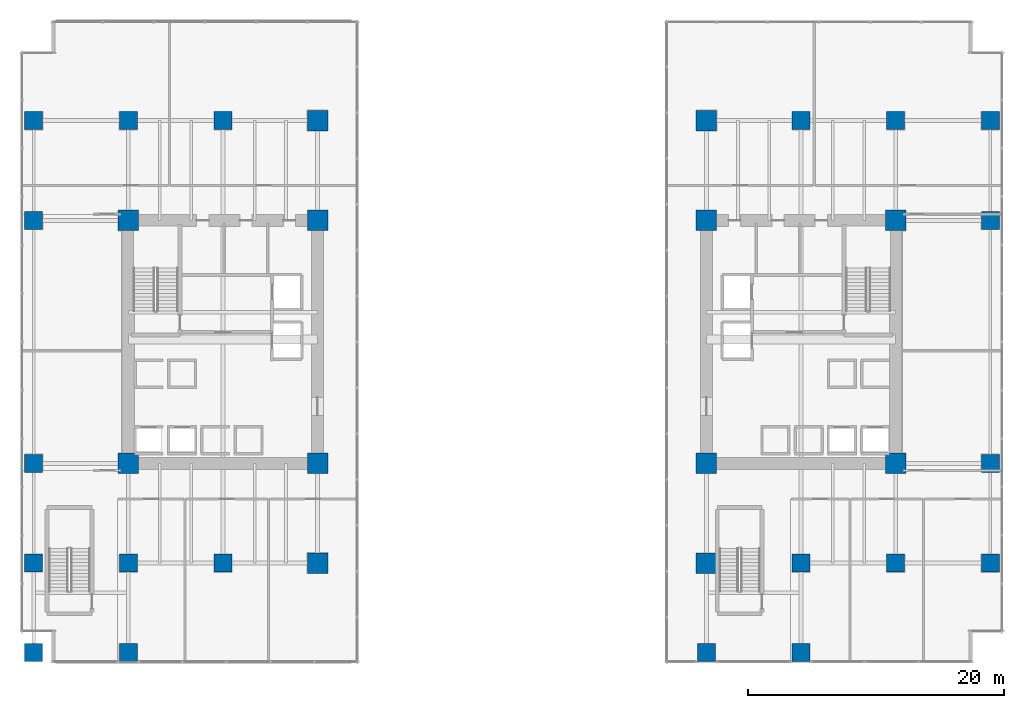
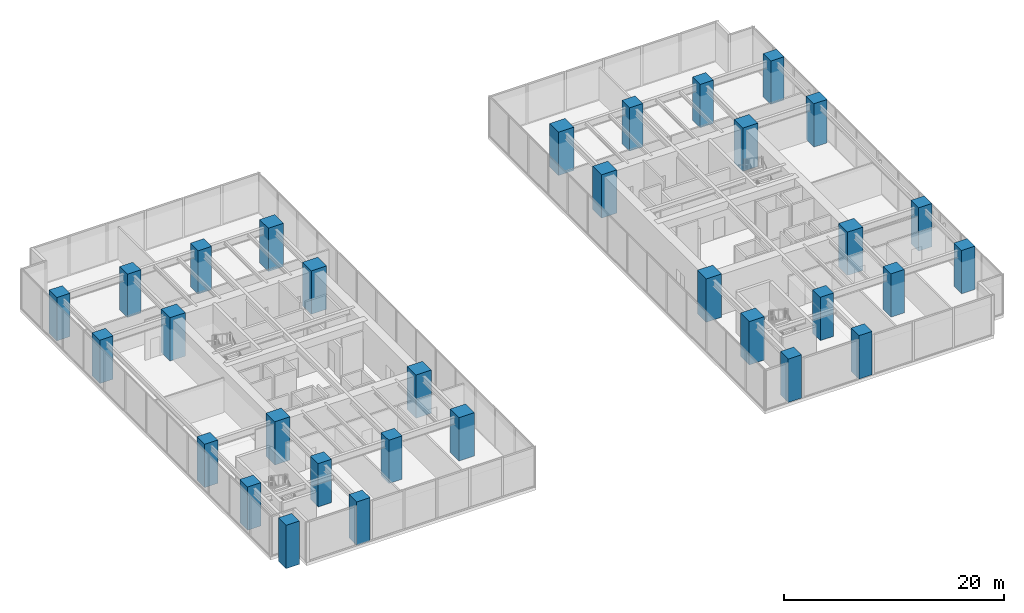
# One storey, part 1 of 33: 32 columns.
"""IFC4 building model written with IfcOpenShell, lengths in metres."""

from ifc_helpers import new_model, si_unit, direction, frame, origin, origin_2d, place, context, subcontext, project, spatial, rectangle, extrude, source, transform, mapped, material, material_profile, profile_set, type_object, type_shapes, element, save


model = new_model("IFC4")

# Units and contexts
model_context = context("Model", 3, precision=1e-05, world=origin(), true_north=direction((0.0, 1.0)))
body_context = subcontext(model_context, "Body", "Model", "MODEL_VIEW")
ifc_project = project(units=[si_unit("LENGTHUNIT", "METRE"), si_unit("AREAUNIT", "SQUARE_METRE"), si_unit("VOLUMEUNIT", "CUBIC_METRE"), si_unit("PLANEANGLEUNIT", "RADIAN"), si_unit("MASSUNIT", "GRAM", prefix="KILO")], contexts=[model_context])

# Site, building, storey
site_placement = place(None, origin())
site = spatial("IfcSite", under=ifc_project, at=site_placement, CompositionType="ELEMENT")
building_placement = place(site_placement, origin())
building = spatial("IfcBuilding", under=site, at=building_placement, Name="Haelvirn Gate Laboratories", CompositionType="ELEMENT")
storey_placement = place(building_placement, frame((0.0, 0.0, 10.199951171875)))
storey = spatial("IfcBuildingStorey", under=building, at=storey_placement, Name="L03", CompositionType="ELEMENT", Elevation=10.199951171875)

# Columns
ifc_material = material(Name="Concrete C70/85", Category="concrete")
ifc_material_profile_1 = material_profile(ifc_material, rectangle(XDim=1.39990234375, YDim=1.39990234375, at=origin_2d()), Name="SRC-1400x1400")
ifc_profile_set_1 = profile_set([ifc_material_profile_1], Name="Concrete C70/85")
column_type_1 = type_object("IfcColumnType", Name="COL-SRC-1400", PredefinedType="COLUMN", material=ifc_profile_set_1)
shared_shape_1 = source(origin(), body_context, "Body", "SweptSolid", [
    extrude(rectangle(XDim=1.39990234375, YDim=1.39990234375, at=origin_2d()), origin(), (0.0, 0.0, 1.0), 4.800048828125),
])
type_shapes(column_type_1, [shared_shape_1])
for number, where, z_axis, x_axis, name in (
    (1, (14.800048828125, 7.0, 0.0), (0.0, 0.0, 1.0), (1.0, 0.0, 0.0), "L03 Column 3B"),
    (2, (14.800048828125, 41.60009765625, 0.0), (0.0, 0.0, 1.0), (1.0, 0.0, 0.0), "L03 Column 3G"),
    (3, (60.0, 7.0, 0.0), (0.0, 0.0, 1.0), (1.0, 0.0, 0.0), "L03 Column 9B"),
    (4, (60.0, 41.60009765625, 0.0), (0.0, 0.0, 1.0), (1.0, 0.0, 0.0), "L03 Column 9G"),
    (5, (7.39990234375, 7.0, 0.0), (0.0, 0.0, 1.0), (1.0, 0.0, 0.0), "L03 Column 2B"),
    (6, (7.39990234375, 41.60009765625, 0.0), (0.0, 0.0, 1.0), (1.0, 0.0, 0.0), "L03 Column 2G"),
    (7, (67.39990234375, 7.0, 0.0), (0.0, 0.0, 1.0), (1.0, 0.0, 0.0), "L03 Column 10B"),
    (8, (67.39990234375, 41.60009765625, 0.0), (0.0, 0.0, 1.0), (1.0, 0.0, 0.0), "L03 Column 10G"),
    (9, (0.0, 7.0, 0.0), (0.0, 0.0, 1.0), (1.0, 0.0, 0.0), "L03 Column 1B"),
    (10, (0.0, 14.800048828125, 0.0), (0.0, 0.0, 1.0), (1.0, 0.0, 0.0), "L03 Column 1C"),
    (11, (0.0, 33.800048828125, 0.0), (0.0, 0.0, 1.0), (1.0, 0.0, 0.0), "L03 Column 1F"),
    (12, (0.0, 41.60009765625, 0.0), (0.0, 0.0, 1.0), (1.0, 0.0, 0.0), "L03 Column 1G"),
    (13, (74.800048828125, 7.0, 0.0), (0.0, 0.0, 1.0), (1.0, 0.0, 0.0), "L03 Column 11B"),
    (14, (74.800048828125, 14.800048828125, 0.0), (0.0, 0.0, 1.0), (1.0, 0.0, 0.0), "L03 Column 11C"),
    (15, (74.800048828125, 33.800048828125, 0.0), (0.0, 0.0, 1.0), (1.0, 0.0, 0.0), "L03 Column 11F"),
    (16, (74.800048828125, 41.60009765625, 0.0), (0.0, 0.0, 1.0), (1.0, 0.0, 0.0), "L03 Column 11G"),
    (17, (0.0, 0.0, 0.0), (0.0, 0.0, 1.0), (1.0, 0.0, 0.0), "L03 Column 1A"),
    (18, (7.39990234375, 0.0, 0.0), (0.0, 0.0, 1.0), (1.0, 0.0, 0.0), "L03 Column 2A"),
    (19, (52.60009765625, 0.0, 0.0), (0.0, 0.0, 1.0), (1.0, 0.0, 0.0), "L03 Column 8A"),
    (20, (60.0, 0.0, 0.0), (0.0, 0.0, 1.0), (1.0, 0.0, 0.0), "L03 Column 9A"),
):
    element("IfcColumn", number, at=place(storey_placement, frame(where, z_axis=z_axis, x_axis=x_axis)), inside=storey, type_object=column_type_1, Name=name, PredefinedType="COLUMN", context=body_context, shape_type="MappedRepresentation", body=[
        mapped(shared_shape_1, transform((0.0, 0.0, 0.0), scale=1.0)),
    ])
ifc_material_profile_2 = material_profile(ifc_material, rectangle(XDim=1.60009765625, YDim=1.60009765625, at=origin_2d()), Name="SRC-1600x1600")
ifc_profile_set_2 = profile_set([ifc_material_profile_2], Name="Concrete C70/85")
column_type_2 = type_object("IfcColumnType", Name="COL-SRC-1600", PredefinedType="COLUMN", material=ifc_profile_set_2)
shared_shape_2 = source(origin(), body_context, "Body", "SweptSolid", [
    extrude(rectangle(XDim=1.60009765625, YDim=1.60009765625, at=origin_2d()), origin(), (0.0, 0.0, 1.0), 4.800048828125),
])
type_shapes(column_type_2, [shared_shape_2])
for number, where, z_axis, x_axis, name in (
    (21, (22.199951171875, 7.0, 0.0), (0.0, 0.0, 1.0), (1.0, 0.0, 0.0), "L03 Column 4B"),
    (22, (7.39990234375, 14.800048828125, 0.0), (0.0, 0.0, 1.0), (1.0, 0.0, 0.0), "L03 Column 2C"),
    (23, (22.199951171875, 14.800048828125, 0.0), (0.0, 0.0, 1.0), (1.0, 0.0, 0.0), "L03 Column 4C"),
    (24, (7.39990234375, 33.800048828125, 0.0), (0.0, 0.0, 1.0), (1.0, 0.0, 0.0), "L03 Column 2F"),
    (25, (22.199951171875, 33.800048828125, 0.0), (0.0, 0.0, 1.0), (1.0, 0.0, 0.0), "L03 Column 4F"),
    (26, (22.199951171875, 41.60009765625, 0.0), (0.0, 0.0, 1.0), (1.0, 0.0, 0.0), "L03 Column 4G"),
    (27, (52.60009765625, 7.0, 0.0), (0.0, 0.0, 1.0), (1.0, 0.0, 0.0), "L03 Column 8B"),
    (28, (52.60009765625, 14.800048828125, 0.0), (0.0, 0.0, 1.0), (1.0, 0.0, 0.0), "L03 Column 8C"),
    (29, (67.39990234375, 14.800048828125, 0.0), (0.0, 0.0, 1.0), (1.0, 0.0, 0.0), "L03 Column 10C"),
    (30, (52.60009765625, 33.800048828125, 0.0), (0.0, 0.0, 1.0), (1.0, 0.0, 0.0), "L03 Column 8F"),
    (31, (67.39990234375, 33.800048828125, 0.0), (0.0, 0.0, 1.0), (1.0, 0.0, 0.0), "L03 Column 10F"),
    (32, (52.60009765625, 41.60009765625, 0.0), (0.0, 0.0, 1.0), (1.0, 0.0, 0.0), "L03 Column 8G"),
):
    element("IfcColumn", number, at=place(storey_placement, frame(where, z_axis=z_axis, x_axis=x_axis)), inside=storey, type_object=column_type_2, Name=name, PredefinedType="COLUMN", context=body_context, shape_type="MappedRepresentation", body=[
        mapped(shared_shape_2, transform((0.0, 0.0, 0.0), scale=1.0)),
    ])

save(model, "model.ifc")
